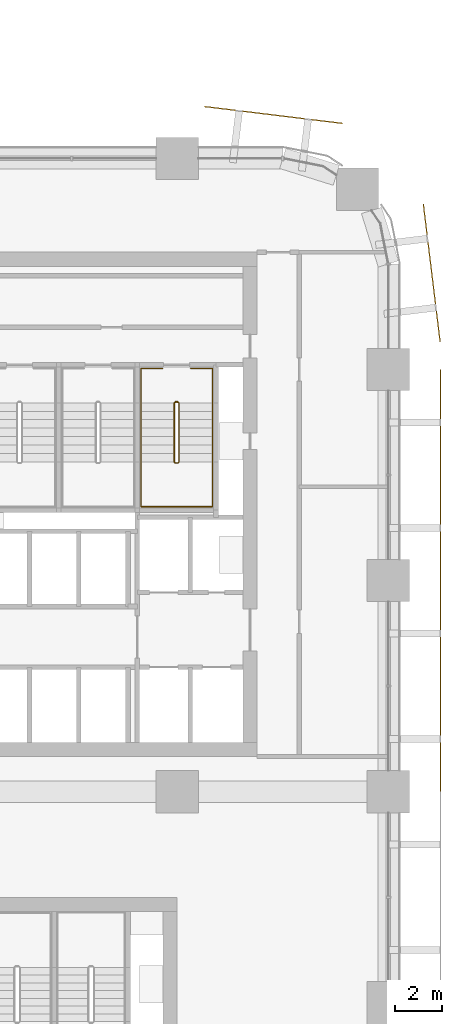
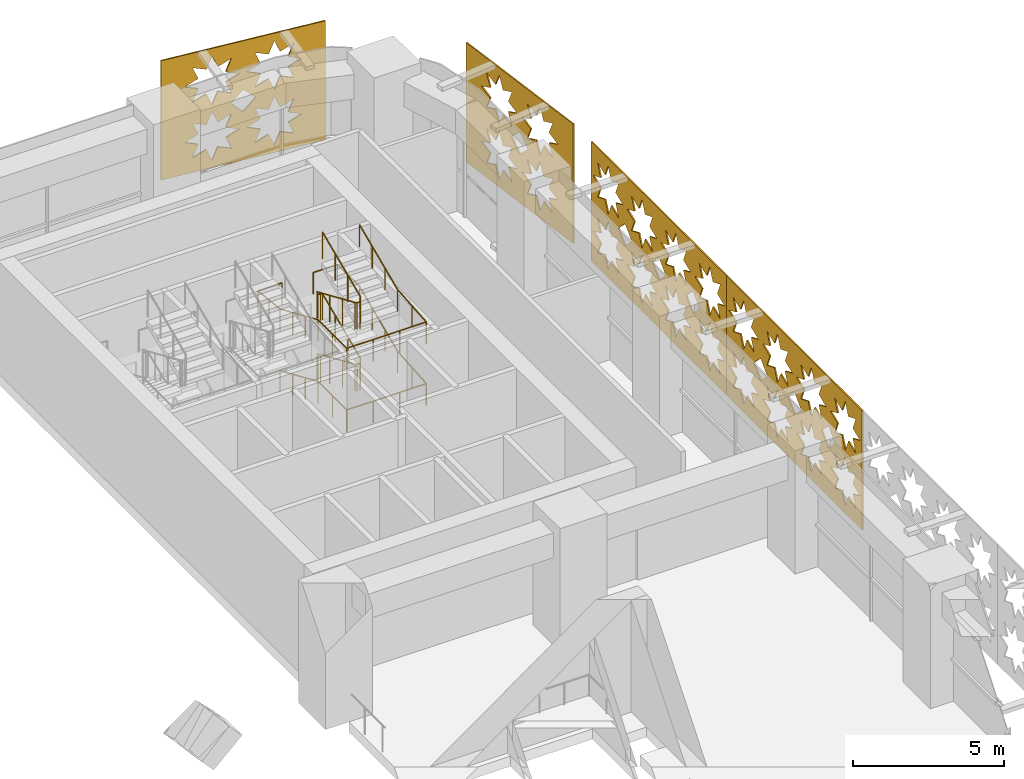
# One storey, part 40 of 40: 4 coverings, 3 railings.
"""IFC4 building model written with IfcOpenShell, lengths in metres."""

from ifc_helpers import new_model, si_unit, direction, frame, origin, origin_2d, place, context, subcontext, project, spatial, polyline, circle, outline, extrude, material, layer, layer_set, type_object, element, save


model = new_model("IFC4")

# Units and contexts
model_context = context("Model", 3, precision=1e-05, world=origin(), true_north=direction((0.0, 1.0)))
body_context = subcontext(model_context, "Body", "Model", "MODEL_VIEW")
ifc_project = project(units=[si_unit("LENGTHUNIT", "METRE"), si_unit("AREAUNIT", "SQUARE_METRE"), si_unit("VOLUMEUNIT", "CUBIC_METRE"), si_unit("PLANEANGLEUNIT", "RADIAN"), si_unit("MASSUNIT", "GRAM", prefix="KILO")], contexts=[model_context])

# Site, building, storey
site_placement = place(None, origin())
site = spatial("IfcSite", under=ifc_project, at=site_placement, CompositionType="ELEMENT")
building_placement = place(site_placement, origin())
building = spatial("IfcBuilding", under=site, at=building_placement, Name="Tessera Arch", CompositionType="ELEMENT")
storey_placement = place(building_placement, frame((0.0, 0.0, 21.0)))
storey = spatial("IfcBuildingStorey", under=building, at=storey_placement, Name="L03", CompositionType="ELEMENT", Elevation=21.0)

# Coverings
ifc_material_1 = material(Name="Anodised aluminium pale metal", Category="aluminium")
ifc_layer = layer(ifc_material_1, 0.050048828125)
ifc_layer_set = layer_set([ifc_layer], Name="Base lattice panel pale metal")
covering_type = type_object("IfcCoveringType", Name="Base lattice panel pale metal", PredefinedType="CLADDING", material=ifc_layer_set)
covering_1_placement = place(storey_placement, frame((56.199951171875, 27.0, 5.0), z_axis=(-1.0, 0.0, 0.0), x_axis=(0.0, 1.0, 0.0)))
element("IfcCovering", 1, at=covering_1_placement, inside=storey, type_object=covering_type, Name="Base lattice panel E54.0/2 L03", PredefinedType="CLADDING", context=body_context, shape_type="SweptSolid", body=[
    extrude(outline(polyline([(0.0, 0.0), (9.0, 0.0), (9.0, 4.840087890625), (0.0, 4.840087890625), (0.0, 0.0)]), holes=[polyline([(2.114990234375, 3.544921875), (1.6240234375, 3.337890625), (1.824951171875, 2.844970703125), (1.33203125, 3.0458984375), (1.125, 2.554931640625), (0.91796875, 3.0458984375), (0.425048828125, 2.844970703125), (0.6259765625, 3.337890625), (0.135009765625, 3.544921875), (0.6259765625, 3.751953125), (0.425048828125, 4.2451171875), (0.91796875, 4.0439453125), (1.125, 4.534912109375), (1.33203125, 4.0439453125), (1.824951171875, 4.2451171875), (1.6240234375, 3.751953125), (2.114990234375, 3.544921875)]), polyline([(2.114990234375, 1.294921875), (1.6240234375, 1.087890625), (1.824951171875, 0.594970703125), (1.33203125, 0.7958984375), (1.125, 0.304931640625), (0.91796875, 0.7958984375), (0.425048828125, 0.594970703125), (0.6259765625, 1.087890625), (0.135009765625, 1.294921875), (0.6259765625, 1.501953125), (0.425048828125, 1.9951171875), (0.91796875, 1.7939453125), (1.125, 2.284912109375), (1.33203125, 1.7939453125), (1.824951171875, 1.9951171875), (1.6240234375, 1.501953125), (2.114990234375, 1.294921875)]), polyline([(4.364990234375, 3.544921875), (3.8740234375, 3.337890625), (4.074951171875, 2.844970703125), (3.58203125, 3.0458984375), (3.375, 2.554931640625), (3.16796875, 3.0458984375), (2.675048828125, 2.844970703125), (2.8759765625, 3.337890625), (2.385009765625, 3.544921875), (2.8759765625, 3.751953125), (2.675048828125, 4.2451171875), (3.16796875, 4.0439453125), (3.375, 4.534912109375), (3.58203125, 4.0439453125), (4.074951171875, 4.2451171875), (3.8740234375, 3.751953125), (4.364990234375, 3.544921875)]), polyline([(4.364990234375, 1.294921875), (3.8740234375, 1.087890625), (4.074951171875, 0.594970703125), (3.58203125, 0.7958984375), (3.375, 0.304931640625), (3.16796875, 0.7958984375), (2.675048828125, 0.594970703125), (2.8759765625, 1.087890625), (2.385009765625, 1.294921875), (2.8759765625, 1.501953125), (2.675048828125, 1.9951171875), (3.16796875, 1.7939453125), (3.375, 2.284912109375), (3.58203125, 1.7939453125), (4.074951171875, 1.9951171875), (3.8740234375, 1.501953125), (4.364990234375, 1.294921875)]), polyline([(6.614990234375, 3.544921875), (6.1240234375, 3.337890625), (6.324951171875, 2.844970703125), (5.83203125, 3.0458984375), (5.625, 2.554931640625), (5.41796875, 3.0458984375), (4.925048828125, 2.844970703125), (5.1259765625, 3.337890625), (4.635009765625, 3.544921875), (5.1259765625, 3.751953125), (4.925048828125, 4.2451171875), (5.41796875, 4.0439453125), (5.625, 4.534912109375), (5.83203125, 4.0439453125), (6.324951171875, 4.2451171875), (6.1240234375, 3.751953125), (6.614990234375, 3.544921875)]), polyline([(6.614990234375, 1.294921875), (6.1240234375, 1.087890625), (6.324951171875, 0.594970703125), (5.83203125, 0.7958984375), (5.625, 0.304931640625), (5.41796875, 0.7958984375), (4.925048828125, 0.594970703125), (5.1259765625, 1.087890625), (4.635009765625, 1.294921875), (5.1259765625, 1.501953125), (4.925048828125, 1.9951171875), (5.41796875, 1.7939453125), (5.625, 2.284912109375), (5.83203125, 1.7939453125), (6.324951171875, 1.9951171875), (6.1240234375, 1.501953125), (6.614990234375, 1.294921875)]), polyline([(8.864990234375, 3.544921875), (8.3740234375, 3.337890625), (8.574951171875, 2.844970703125), (8.08203125, 3.0458984375), (7.875, 2.554931640625), (7.66796875, 3.0458984375), (7.175048828125, 2.844970703125), (7.3759765625, 3.337890625), (6.885009765625, 3.544921875), (7.3759765625, 3.751953125), (7.175048828125, 4.2451171875), (7.66796875, 4.0439453125), (7.875, 4.534912109375), (8.08203125, 4.0439453125), (8.574951171875, 4.2451171875), (8.3740234375, 3.751953125), (8.864990234375, 3.544921875)]), polyline([(8.864990234375, 1.294921875), (8.3740234375, 1.087890625), (8.574951171875, 0.594970703125), (8.08203125, 0.7958984375), (7.875, 0.304931640625), (7.66796875, 0.7958984375), (7.175048828125, 0.594970703125), (7.3759765625, 1.087890625), (6.885009765625, 1.294921875), (7.3759765625, 1.501953125), (7.175048828125, 1.9951171875), (7.66796875, 1.7939453125), (7.875, 2.284912109375), (8.08203125, 1.7939453125), (8.574951171875, 1.9951171875), (8.3740234375, 1.501953125), (8.864990234375, 1.294921875)]), polyline([(2.699951171875, 2.419921875), (2.25, 1.969970703125), (1.800048828125, 2.419921875), (2.25, 2.8701171875), (2.699951171875, 2.419921875)]), polyline([(4.949951171875, 2.419921875), (4.5, 1.969970703125), (4.050048828125, 2.419921875), (4.5, 2.8701171875), (4.949951171875, 2.419921875)]), polyline([(7.199951171875, 2.419921875), (6.75, 1.969970703125), (6.300048828125, 2.419921875), (6.75, 2.8701171875), (7.199951171875, 2.419921875)])]), origin(), (0.0, 0.0, -1.0), 0.050048828125),
])
covering_2_placement = place(storey_placement, frame((56.199951171875, 36.0, 5.0), z_axis=(-1.0, 0.0, 0.0), x_axis=(0.0, 1.0, 0.0)))
element("IfcCovering", 2, at=covering_2_placement, inside=storey, type_object=covering_type, Name="Base lattice panel E54.0/3 L03", PredefinedType="CLADDING", context=body_context, shape_type="SweptSolid", body=[
    extrude(outline(polyline([(0.0, 0.0), (9.0, 0.0), (9.0, 4.840087890625), (0.0, 4.840087890625), (0.0, 0.0)]), holes=[polyline([(2.114990234375, 3.544921875), (1.6240234375, 3.337890625), (1.824951171875, 2.844970703125), (1.33203125, 3.0458984375), (1.125, 2.554931640625), (0.91796875, 3.0458984375), (0.425048828125, 2.844970703125), (0.6259765625, 3.337890625), (0.135009765625, 3.544921875), (0.6259765625, 3.751953125), (0.425048828125, 4.2451171875), (0.91796875, 4.0439453125), (1.125, 4.534912109375), (1.33203125, 4.0439453125), (1.824951171875, 4.2451171875), (1.6240234375, 3.751953125), (2.114990234375, 3.544921875)]), polyline([(2.114990234375, 1.294921875), (1.6240234375, 1.087890625), (1.824951171875, 0.594970703125), (1.33203125, 0.7958984375), (1.125, 0.304931640625), (0.91796875, 0.7958984375), (0.425048828125, 0.594970703125), (0.6259765625, 1.087890625), (0.135009765625, 1.294921875), (0.6259765625, 1.501953125), (0.425048828125, 1.9951171875), (0.91796875, 1.7939453125), (1.125, 2.284912109375), (1.33203125, 1.7939453125), (1.824951171875, 1.9951171875), (1.6240234375, 1.501953125), (2.114990234375, 1.294921875)]), polyline([(4.364990234375, 3.544921875), (3.8740234375, 3.337890625), (4.074951171875, 2.844970703125), (3.58203125, 3.0458984375), (3.375, 2.554931640625), (3.16796875, 3.0458984375), (2.675048828125, 2.844970703125), (2.8759765625, 3.337890625), (2.385009765625, 3.544921875), (2.8759765625, 3.751953125), (2.675048828125, 4.2451171875), (3.16796875, 4.0439453125), (3.375, 4.534912109375), (3.58203125, 4.0439453125), (4.074951171875, 4.2451171875), (3.8740234375, 3.751953125), (4.364990234375, 3.544921875)]), polyline([(4.364990234375, 1.294921875), (3.8740234375, 1.087890625), (4.074951171875, 0.594970703125), (3.58203125, 0.7958984375), (3.375, 0.304931640625), (3.16796875, 0.7958984375), (2.675048828125, 0.594970703125), (2.8759765625, 1.087890625), (2.385009765625, 1.294921875), (2.8759765625, 1.501953125), (2.675048828125, 1.9951171875), (3.16796875, 1.7939453125), (3.375, 2.284912109375), (3.58203125, 1.7939453125), (4.074951171875, 1.9951171875), (3.8740234375, 1.501953125), (4.364990234375, 1.294921875)]), polyline([(6.614990234375, 3.544921875), (6.1240234375, 3.337890625), (6.324951171875, 2.844970703125), (5.83203125, 3.0458984375), (5.625, 2.554931640625), (5.41796875, 3.0458984375), (4.925048828125, 2.844970703125), (5.1259765625, 3.337890625), (4.635009765625, 3.544921875), (5.1259765625, 3.751953125), (4.925048828125, 4.2451171875), (5.41796875, 4.0439453125), (5.625, 4.534912109375), (5.83203125, 4.0439453125), (6.324951171875, 4.2451171875), (6.1240234375, 3.751953125), (6.614990234375, 3.544921875)]), polyline([(6.614990234375, 1.294921875), (6.1240234375, 1.087890625), (6.324951171875, 0.594970703125), (5.83203125, 0.7958984375), (5.625, 0.304931640625), (5.41796875, 0.7958984375), (4.925048828125, 0.594970703125), (5.1259765625, 1.087890625), (4.635009765625, 1.294921875), (5.1259765625, 1.501953125), (4.925048828125, 1.9951171875), (5.41796875, 1.7939453125), (5.625, 2.284912109375), (5.83203125, 1.7939453125), (6.324951171875, 1.9951171875), (6.1240234375, 1.501953125), (6.614990234375, 1.294921875)]), polyline([(8.864990234375, 3.544921875), (8.3740234375, 3.337890625), (8.574951171875, 2.844970703125), (8.08203125, 3.0458984375), (7.875, 2.554931640625), (7.66796875, 3.0458984375), (7.175048828125, 2.844970703125), (7.3759765625, 3.337890625), (6.885009765625, 3.544921875), (7.3759765625, 3.751953125), (7.175048828125, 4.2451171875), (7.66796875, 4.0439453125), (7.875, 4.534912109375), (8.08203125, 4.0439453125), (8.574951171875, 4.2451171875), (8.3740234375, 3.751953125), (8.864990234375, 3.544921875)]), polyline([(8.864990234375, 1.294921875), (8.3740234375, 1.087890625), (8.574951171875, 0.594970703125), (8.08203125, 0.7958984375), (7.875, 0.304931640625), (7.66796875, 0.7958984375), (7.175048828125, 0.594970703125), (7.3759765625, 1.087890625), (6.885009765625, 1.294921875), (7.3759765625, 1.501953125), (7.175048828125, 1.9951171875), (7.66796875, 1.7939453125), (7.875, 2.284912109375), (8.08203125, 1.7939453125), (8.574951171875, 1.9951171875), (8.3740234375, 1.501953125), (8.864990234375, 1.294921875)]), polyline([(2.699951171875, 2.419921875), (2.25, 1.969970703125), (1.800048828125, 2.419921875), (2.25, 2.8701171875), (2.699951171875, 2.419921875)]), polyline([(4.949951171875, 2.419921875), (4.5, 1.969970703125), (4.050048828125, 2.419921875), (4.5, 2.8701171875), (4.949951171875, 2.419921875)]), polyline([(7.199951171875, 2.419921875), (6.75, 1.969970703125), (6.300048828125, 2.419921875), (6.75, 2.8701171875), (7.199951171875, 2.419921875)])]), origin(), (0.0, 0.0, -1.0), 0.050048828125),
])
covering_3_placement = place(storey_placement, frame((56.183837890625, 46.166015625, 5.0), z_axis=(-0.992656620686, -0.120966249049, 0.0), x_axis=(-0.120966249049, 0.992656620686, 0.0)))
element("IfcCovering", 3, at=covering_3_placement, inside=storey, type_object=covering_type, Name="Base lattice panel E54.0/4 L03", PredefinedType="CLADDING", context=body_context, shape_type="SweptSolid", body=[
    extrude(outline(polyline([(0.0, 0.0), (5.925593962252626, 0.0), (5.925593962252626, 4.840087890625), (0.0, 4.840087890625), (0.0, 0.0)]), holes=[polyline([(2.828132860395926, 3.544921875), (2.336987823767969, 3.337890625), (2.53815207532478, 2.844970703125), (2.0440693322277617, 3.0458984375), (1.8379695261883193, 2.554931640625), (1.6311131439498763, 3.0458984375), (1.1379997920839962, 2.844970703125), (1.3391640436408068, 3.337890625), (0.84801900701285, 3.544921875), (1.3391640436408068, 3.751953125), (1.1379997920839962, 4.2451171875), (1.6311131439498763, 4.0439453125), (1.8379695261883193, 4.534912109375), (2.0440693322277617, 4.0439453125), (2.53815207532478, 4.2451171875), (2.336987823767969, 3.751953125), (2.828132860395926, 3.544921875)]), polyline([(2.828132860395926, 1.294921875), (2.336987823767969, 1.087890625), (2.53815207532478, 0.594970703125), (2.0440693322277617, 0.7958984375), (1.8379695261883193, 0.304931640625), (1.6311131439498763, 0.7958984375), (1.1379997920839962, 0.594970703125), (1.3391640436408068, 1.087890625), (0.84801900701285, 1.294921875), (1.3391640436408068, 1.501953125), (1.1379997920839962, 1.9951171875), (1.6311131439498763, 1.7939453125), (1.8379695261883193, 2.284912109375), (2.0440693322277617, 1.7939453125), (2.53815207532478, 1.9951171875), (2.336987823767969, 1.501953125), (2.828132860395926, 1.294921875)]), polyline([(5.078059650855345, 3.544921875), (4.5871569620351735, 3.337890625), (4.7880788657841995, 2.844970703125), (4.294208937719319, 3.0458984375), (4.088109131679876, 2.554931640625), (3.8810399344092956, 3.0458984375), (3.3881393975755536, 2.844970703125), (3.5890908341002263, 3.337890625), (3.0979457974722693, 3.544921875), (3.5890908341002263, 3.751953125), (3.3881393975755536, 4.2451171875), (3.8810399344092956, 4.0439453125), (4.088109131679876, 4.534912109375), (4.294208937719319, 4.0439453125), (4.7880788657841995, 4.2451171875), (4.5871569620351735, 3.751953125), (5.078059650855345, 3.544921875)]), polyline([(5.078059650855345, 1.294921875), (4.5871569620351735, 1.087890625), (4.7880788657841995, 0.594970703125), (4.294208937719319, 0.7958984375), (4.088109131679876, 0.304931640625), (3.8810399344092956, 0.7958984375), (3.3881393975755536, 0.594970703125), (3.5890908341002263, 1.087890625), (3.0979457974722693, 1.294921875), (3.5890908341002263, 1.501953125), (3.3881393975755536, 1.9951171875), (3.8810399344092956, 1.7939453125), (4.088109131679876, 2.284912109375), (4.294208937719319, 1.7939453125), (4.7880788657841995, 1.9951171875), (4.5871569620351735, 1.501953125), (5.078059650855345, 1.294921875)]), polyline([(3.4130004522452033, 2.419921875), (2.96316050283799, 1.969970703125), (2.5130782056229926, 2.419921875), (2.96316050283799, 2.8701171875), (3.4130004522452033, 2.419921875)])]), origin(), (0.0, 0.0, -1.0), 0.050048828125),
])
covering_4_placement = place(storey_placement, frame((52.048095703125, 55.467041015625, 5.0), z_axis=(-0.120966249049, -0.992656620686, 0.0), x_axis=(-0.992656620686, 0.120966249049, 0.0)))
element("IfcCovering", 4, at=covering_4_placement, inside=storey, type_object=covering_type, Name="Base lattice panel N54.36/0 L03", PredefinedType="CLADDING", context=body_context, shape_type="SweptSolid", body=[
    extrude(outline(polyline([(0.0, 0.0), (5.925593962252626, 0.0), (5.925593962252626, 4.840087890625), (0.0, 4.840087890625), (0.0, 0.0)]), holes=[polyline([(2.8278905125881417, 3.544921875), (2.336987823767969, 3.337890625), (2.5379392602926423, 2.844970703125), (2.0440693322277617, 3.0458984375), (1.8379695261883193, 2.554931640625), (1.6308707961420916, 3.0458984375), (1.1379997920839962, 2.844970703125), (1.3389512286086689, 3.337890625), (0.84801900701285, 3.544921875), (1.3389512286086689, 3.751953125), (1.1379997920839962, 4.2451171875), (1.6308707961420916, 4.0439453125), (1.8379695261883193, 4.534912109375), (2.0440693322277617, 4.0439453125), (2.5379392602926423, 4.2451171875), (2.336987823767969, 3.751953125), (2.8278905125881417, 3.544921875)]), polyline([(2.8278905125881417, 1.294921875), (2.336987823767969, 1.087890625), (2.5379392602926423, 0.594970703125), (2.0440693322277617, 0.7958984375), (1.8379695261883193, 0.304931640625), (1.6308707961420916, 0.7958984375), (1.1379997920839962, 0.594970703125), (1.3389512286086689, 1.087890625), (0.84801900701285, 1.294921875), (1.3389512286086689, 1.501953125), (1.1379997920839962, 1.9951171875), (1.6308707961420916, 1.7939453125), (1.8379695261883193, 2.284912109375), (2.0440693322277617, 1.7939453125), (2.5379392602926423, 1.9951171875), (2.336987823767969, 1.501953125), (2.8278905125881417, 1.294921875)]), polyline([(5.078059650855345, 3.544921875), (4.586914614227389, 3.337890625), (4.788108398559846, 2.844970703125), (4.293996122687181, 3.0458984375), (4.088138664455523, 2.554931640625), (3.8810399344092956, 3.0458984375), (3.3879265825434155, 2.844970703125), (3.5890908341002263, 3.337890625), (3.0979457974722693, 3.544921875), (3.5890908341002263, 3.751953125), (3.3879265825434155, 4.2451171875), (3.8810399344092956, 4.0439453125), (4.088138664455523, 4.534912109375), (4.293996122687181, 4.0439453125), (4.788108398559846, 4.2451171875), (4.586914614227389, 3.751953125), (5.078059650855345, 3.544921875)]), polyline([(5.078059650855345, 1.294921875), (4.586914614227389, 1.087890625), (4.788108398559846, 0.594970703125), (4.293996122687181, 0.7958984375), (4.088138664455523, 0.304931640625), (3.8810399344092956, 0.7958984375), (3.3879265825434155, 0.594970703125), (3.5890908341002263, 1.087890625), (3.0979457974722693, 1.294921875), (3.5890908341002263, 1.501953125), (3.3879265825434155, 1.9951171875), (3.8810399344092956, 1.7939453125), (4.088138664455523, 2.284912109375), (4.293996122687181, 1.7939453125), (4.788108398559846, 1.9951171875), (4.586914614227389, 1.501953125), (5.078059650855345, 1.294921875)]), polyline([(3.4130004522452033, 2.419921875), (2.96316050283799, 1.969970703125), (2.5130782056229926, 2.419921875), (2.96316050283799, 2.8701171875), (3.4130004522452033, 2.419921875)])]), origin(), (0.0, 0.0, -1.0), 0.050048828125),
])

# Railings
ifc_material_2 = material(Name="Painted steel balustrade", Category="steel")
railing_type_1 = type_object("IfcRailingType", Name="Stair guard 1100", PredefinedType="GUARDRAIL", material=ifc_material_2)
railing_1_placement = place(storey_placement, frame((44.919921875, 43.6298828125, 0.0)))
element("IfcRailing", 5, at=railing_1_placement, inside=storey, type_object=railing_type_1, Name="L03 S1c stair guard 1", PredefinedType="GUARDRAIL", context=body_context, shape_type="SweptSolid", body=[
    extrude(circle(Radius=0.02392578125, at=origin_2d()), frame((-0.00390625, 0.0, 1.076171875), z_axis=(1.0, 0.0, 0.0), x_axis=(0.0, 1.0, 0.0)), (0.0, 0.0, 1.0), 0.1181640625),
    extrude(circle(Radius=0.02392578125, at=origin_2d()), frame((0.11279296875, 0.0009765625, 1.0732421875), z_axis=(-0.698136755474, -0.217434958957, 0.682148890844), x_axis=(0.297361876254, -0.954764847777, 0.0)), (0.0, 0.0, 1.0), 0.237060546875),
    extrude(circle(Radius=0.02392578125, at=origin_2d()), frame((-0.0498046875, -0.046142578125, 1.230712890625), z_axis=(0.0, -0.917324189904, 0.398141093855), x_axis=(1.0, 0.0, 0.0)), (0.0, 0.0, 1.0), 2.755126953125),
    extrude(circle(Radius=0.02392578125, at=origin_2d()), frame((-0.052734375, -2.56689453125, 2.326171875), z_axis=(0.705375805398, -0.708833529934, 0.0), x_axis=(0.708833529934, 0.705375805398, 0.0)), (0.0, 0.0, 1.0), 0.07861328125),
    extrude(circle(Radius=0.02392578125, at=origin_2d()), frame((-0.00390625, -2.619873046875, 2.326171875), z_axis=(1.0, 0.0, 0.0), x_axis=(0.0, 1.0, 0.0)), (0.0, 0.0, 1.0), 0.1181640625),
    extrude(circle(Radius=0.02392578125, at=origin_2d()), frame((0.10888671875, -2.62109375, 2.322509765625), z_axis=(0.29177245553, 0.29177245553, 0.91089937336), x_axis=(-0.707106781187, 0.707106781187, 0.0)), (0.0, 0.0, 1.0), 0.179443359375),
    extrude(circle(Radius=0.02392578125, at=origin_2d()), frame((0.16015625, -2.573486328125, 2.480712890625), z_axis=(0.0, 0.917324189904, 0.398141093855), x_axis=(-1.0, 0.0, 0.0)), (0.0, 0.0, 1.0), 2.755126953125),
    extrude(circle(Radius=0.02392578125, at=origin_2d()), frame((0.1640625, -0.051025390625, 3.576171875), z_axis=(-0.954893471113, 0.296948579431, 0.0), x_axis=(-0.296948579431, -0.954893471113, 0.0)), (0.0, 0.0, 1.0), 0.17578125),
    extrude(circle(Radius=0.02392578125, at=origin_2d()), frame((-0.00390625, 0.0, 3.576171875), z_axis=(1.0, 0.0, 0.0), x_axis=(0.0, 1.0, 0.0)), (0.0, 0.0, 1.0), 0.1181640625),
    extrude(circle(Radius=0.02392578125, at=origin_2d()), frame((0.11279296875, 0.0009765625, 3.5732421875), z_axis=(-0.698136755474, -0.217434958957, 0.682148890844), x_axis=(0.297361876254, -0.954764847777, 0.0)), (0.0, 0.0, 1.0), 0.237060546875),
    extrude(circle(Radius=0.02392578125, at=origin_2d()), frame((-0.0498046875, -0.046142578125, 3.730712890625), z_axis=(0.0, -0.917324189904, 0.398141093855), x_axis=(1.0, 0.0, 0.0)), (0.0, 0.0, 1.0), 2.755126953125),
    extrude(circle(Radius=0.02392578125, at=origin_2d()), frame((-0.052734375, -2.56689453125, 4.826171875), z_axis=(0.705375805398, -0.708833529934, 0.0), x_axis=(0.708833529934, 0.705375805398, 0.0)), (0.0, 0.0, 1.0), 0.07861328125),
    extrude(circle(Radius=0.02392578125, at=origin_2d()), frame((-0.00390625, -2.619873046875, 4.826171875), z_axis=(1.0, 0.0, 0.0), x_axis=(0.0, 1.0, 0.0)), (0.0, 0.0, 1.0), 0.1181640625),
    extrude(circle(Radius=0.02392578125, at=origin_2d()), frame((0.10888671875, -2.62109375, 4.822509765625), z_axis=(0.29177245553, 0.29177245553, 0.91089937336), x_axis=(-0.707106781187, 0.707106781187, 0.0)), (0.0, 0.0, 1.0), 0.179443359375),
    extrude(circle(Radius=0.02392578125, at=origin_2d()), frame((0.16015625, -2.573486328125, 4.980712890625), z_axis=(0.0, 0.917324189904, 0.398141093855), x_axis=(-1.0, 0.0, 0.0)), (0.0, 0.0, 1.0), 2.755126953125),
    extrude(circle(Radius=0.02099609375, at=origin_2d()), origin(), (0.0, 0.0, 1.0), 1.06396484375),
    extrude(circle(Radius=0.02099609375, at=origin_2d()), frame((0.110107421875, 0.0, 0.0)), (0.0, 0.0, 1.0), 1.06396484375),
    extrude(circle(Radius=0.02099609375, at=origin_2d()), frame((-0.0498046875, -0.0498046875, 0.15625)), (0.0, 0.0, 1.0), 1.06396484375),
    extrude(circle(Radius=0.02099609375, at=origin_2d()), frame((-0.0498046875, -0.889892578125, 0.520751953125)), (0.0, 0.0, 1.0), 1.06396484375),
    extrude(circle(Radius=0.02099609375, at=origin_2d()), frame((-0.0498046875, -1.729736328125, 0.885498046875)), (0.0, 0.0, 1.0), 1.06396484375),
    extrude(circle(Radius=0.02099609375, at=origin_2d()), frame((-0.0498046875, -2.56982421875, 1.25)), (0.0, 0.0, 1.0), 1.06396484375),
    extrude(circle(Radius=0.02099609375, at=origin_2d()), frame((0.0, -2.619873046875, 1.25)), (0.0, 0.0, 1.0), 1.06396484375),
    extrude(circle(Radius=0.02099609375, at=origin_2d()), frame((0.110107421875, -2.619873046875, 1.25)), (0.0, 0.0, 1.0), 1.06396484375),
    extrude(circle(Radius=0.02099609375, at=origin_2d()), frame((0.16015625, -2.56982421875, 1.40625)), (0.0, 0.0, 1.0), 1.06396484375),
    extrude(circle(Radius=0.02099609375, at=origin_2d()), frame((0.16015625, -1.729736328125, 1.770751953125)), (0.0, 0.0, 1.0), 1.06396484375),
    extrude(circle(Radius=0.02099609375, at=origin_2d()), frame((0.16015625, -0.889892578125, 2.135498046875)), (0.0, 0.0, 1.0), 1.06396484375),
    extrude(circle(Radius=0.02099609375, at=origin_2d()), frame((0.16015625, -0.0498046875, 2.5)), (0.0, 0.0, 1.0), 1.06396484375),
    extrude(circle(Radius=0.02099609375, at=origin_2d()), frame((0.0, 0.0, 2.5)), (0.0, 0.0, 1.0), 1.06396484375),
    extrude(circle(Radius=0.02099609375, at=origin_2d()), frame((0.110107421875, 0.0, 2.5)), (0.0, 0.0, 1.0), 1.06396484375),
    extrude(circle(Radius=0.02099609375, at=origin_2d()), frame((-0.0498046875, -0.0498046875, 2.65625)), (0.0, 0.0, 1.0), 1.06396484375),
    extrude(circle(Radius=0.02099609375, at=origin_2d()), frame((-0.0498046875, -0.889892578125, 3.020751953125)), (0.0, 0.0, 1.0), 1.06396484375),
    extrude(circle(Radius=0.02099609375, at=origin_2d()), frame((-0.0498046875, -1.729736328125, 3.385498046875)), (0.0, 0.0, 1.0), 1.06396484375),
    extrude(circle(Radius=0.02099609375, at=origin_2d()), frame((-0.0498046875, -2.56982421875, 3.75)), (0.0, 0.0, 1.0), 1.06396484375),
    extrude(circle(Radius=0.02099609375, at=origin_2d()), frame((0.0, -2.619873046875, 3.75)), (0.0, 0.0, 1.0), 1.06396484375),
    extrude(circle(Radius=0.02099609375, at=origin_2d()), frame((0.110107421875, -2.619873046875, 3.75)), (0.0, 0.0, 1.0), 1.06396484375),
    extrude(circle(Radius=0.02099609375, at=origin_2d()), frame((0.16015625, -2.56982421875, 3.90625)), (0.0, 0.0, 1.0), 1.06396484375),
    extrude(circle(Radius=0.02099609375, at=origin_2d()), frame((0.16015625, -1.729736328125, 4.270751953125)), (0.0, 0.0, 1.0), 1.06396484375),
    extrude(circle(Radius=0.02099609375, at=origin_2d()), frame((0.16015625, -0.889892578125, 4.635498046875)), (0.0, 0.0, 1.0), 1.06396484375),
    extrude(circle(Radius=0.02099609375, at=origin_2d()), frame((0.16015625, -0.0498046875, 5.0)), (0.0, 0.0, 1.0), 1.06396484375),
])
ifc_material_3 = material(Name="Painted steel handrail", Category="steel")
railing_type_2 = type_object("IfcRailingType", Name="Stair handrail 900", PredefinedType="HANDRAIL", material=ifc_material_3)
railing_2_placement = place(storey_placement, frame((43.449951171875, 43.580078125, 0.15625)))
element("IfcRailing", 6, at=railing_2_placement, inside=storey, type_object=railing_type_2, Name="L03 S1c stair handrail", PredefinedType="HANDRAIL", context=body_context, shape_type="SweptSolid", body=[
    extrude(circle(Radius=0.02392578125, at=origin_2d()), frame((0.0, 0.003662109375, 0.874267578125), z_axis=(0.0, -0.917324189904, 0.398141093855), x_axis=(1.0, 0.0, 0.0)), (0.0, 0.0, 1.0), 2.755126953125),
    extrude(circle(Radius=0.02392578125, at=origin_2d()), frame((0.0, -2.51611328125, 1.9697265625), z_axis=(0.0, -1.0, 0.0), x_axis=(1.0, 0.0, 0.0)), (0.0, 0.0, 1.0), 1.918212890625),
    extrude(circle(Radius=0.02392578125, at=origin_2d()), frame((-0.00390625, -4.43017578125, 1.9697265625), z_axis=(1.0, 0.0, 0.0), x_axis=(0.0, 1.0, 0.0)), (0.0, 0.0, 1.0), 3.05810546875),
    extrude(circle(Radius=0.02392578125, at=origin_2d()), frame((3.050048828125, -4.43408203125, 1.96923828125), z_axis=(0.0, 0.996671109807, 0.081527289146), x_axis=(-1.0, 0.0, 0.0)), (0.0, 0.0, 1.0), 1.924560546875),
    extrude(circle(Radius=0.02392578125, at=origin_2d()), frame((3.050048828125, -2.523681640625, 2.124267578125), z_axis=(0.0, 0.917324189904, 0.398141093855), x_axis=(-1.0, 0.0, 0.0)), (0.0, 0.0, 1.0), 2.755126953125),
    extrude(circle(Radius=0.02392578125, at=origin_2d()), frame((3.050048828125, -0.00390625, 3.2197265625), z_axis=(0.0, 1.0, 0.0), x_axis=(-1.0, 0.0, 0.0)), (0.0, 0.0, 1.0), 1.47802734375),
    extrude(circle(Radius=0.02392578125, at=origin_2d()), frame((3.053955078125, 1.469970703125, 3.2197265625), z_axis=(-1.0, 0.0, 0.0), x_axis=(0.0, -1.0, 0.0)), (0.0, 0.0, 1.0), 0.93310546875),
    extrude(circle(Radius=0.02099609375, at=origin_2d()), origin(), (0.0, 0.0, 1.0), 0.86376953125),
    extrude(circle(Radius=0.02099609375, at=origin_2d()), frame((0.0, -0.840087890625, 0.364501953125)), (0.0, 0.0, 1.0), 0.86376953125),
    extrude(circle(Radius=0.02099609375, at=origin_2d()), frame((0.0, -1.679931640625, 0.729248046875)), (0.0, 0.0, 1.0), 0.86376953125),
    extrude(circle(Radius=0.02099609375, at=origin_2d()), frame((0.0, -2.52001953125, 1.09375)), (0.0, 0.0, 1.0), 0.86376953125),
    extrude(circle(Radius=0.02099609375, at=origin_2d()), frame((0.0, -3.47509765625, 1.09375)), (0.0, 0.0, 1.0), 0.86376953125),
    extrude(circle(Radius=0.02099609375, at=origin_2d()), frame((0.0, -4.43017578125, 1.09375)), (0.0, 0.0, 1.0), 0.86376953125),
    extrude(circle(Radius=0.02099609375, at=origin_2d()), frame((1.0166015625, -4.43017578125, 1.09375)), (0.0, 0.0, 1.0), 0.86376953125),
    extrude(circle(Radius=0.02099609375, at=origin_2d()), frame((2.033447265625, -4.43017578125, 1.09375)), (0.0, 0.0, 1.0), 0.86376953125),
    extrude(circle(Radius=0.02099609375, at=origin_2d()), frame((3.050048828125, -4.43017578125, 1.09375)), (0.0, 0.0, 1.0), 0.86376953125),
    extrude(circle(Radius=0.02099609375, at=origin_2d()), frame((3.050048828125, -3.47509765625, 1.171875)), (0.0, 0.0, 1.0), 0.86376953125),
    extrude(circle(Radius=0.02099609375, at=origin_2d()), frame((3.050048828125, -2.52001953125, 1.25)), (0.0, 0.0, 1.0), 0.86376953125),
    extrude(circle(Radius=0.02099609375, at=origin_2d()), frame((3.050048828125, -1.679931640625, 1.614501953125)), (0.0, 0.0, 1.0), 0.86376953125),
    extrude(circle(Radius=0.02099609375, at=origin_2d()), frame((3.050048828125, -0.840087890625, 1.979248046875)), (0.0, 0.0, 1.0), 0.86376953125),
    extrude(circle(Radius=0.02099609375, at=origin_2d()), frame((3.050048828125, 0.0, 2.34375)), (0.0, 0.0, 1.0), 0.86376953125),
    extrude(circle(Radius=0.02099609375, at=origin_2d()), frame((3.050048828125, 0.73486328125, 2.34375)), (0.0, 0.0, 1.0), 0.86376953125),
    extrude(circle(Radius=0.02099609375, at=origin_2d()), frame((3.050048828125, 1.469970703125, 2.34375)), (0.0, 0.0, 1.0), 0.86376953125),
    extrude(circle(Radius=0.02099609375, at=origin_2d()), frame((2.125, 1.469970703125, 2.34375)), (0.0, 0.0, 1.0), 0.86376953125),
])
railing_3_placement = place(storey_placement, frame((44.375, 45.050048828125, 2.5)))
element("IfcRailing", 7, at=railing_3_placement, inside=storey, type_object=railing_type_2, Name="L03 S1c stair handrail 2", PredefinedType="HANDRAIL", context=body_context, shape_type="SweptSolid", body=[
    extrude(circle(Radius=0.02392578125, at=origin_2d()), frame((0.00390625, 0.0, 0.8759765625), z_axis=(-1.0, 0.0, 0.0), x_axis=(0.0, -1.0, 0.0)), (0.0, 0.0, 1.0), 0.93310546875),
    extrude(circle(Radius=0.02392578125, at=origin_2d()), frame((-0.925048828125, 0.00390625, 0.87548828125), z_axis=(0.0, -0.994398150376, 0.105699188879), x_axis=(1.0, 0.0, 0.0)), (0.0, 0.0, 1.0), 1.486328125),
    extrude(circle(Radius=0.02392578125, at=origin_2d()), frame((-0.925048828125, -1.46630859375, 1.030517578125), z_axis=(0.0, -0.917324189904, 0.398141093855), x_axis=(1.0, 0.0, 0.0)), (0.0, 0.0, 1.0), 2.755126953125),
    extrude(circle(Radius=0.02392578125, at=origin_2d()), frame((-0.925048828125, -3.986083984375, 2.1259765625), z_axis=(0.0, -1.0, 0.0), x_axis=(1.0, 0.0, 0.0)), (0.0, 0.0, 1.0), 1.918212890625),
    extrude(circle(Radius=0.02392578125, at=origin_2d()), frame((-0.928955078125, -5.900146484375, 2.1259765625), z_axis=(1.0, 0.0, 0.0), x_axis=(0.0, 1.0, 0.0)), (0.0, 0.0, 1.0), 3.05810546875),
    extrude(circle(Radius=0.02392578125, at=origin_2d()), frame((2.125, -5.904052734375, 2.12548828125), z_axis=(0.0, 0.996671109807, 0.081527289146), x_axis=(-1.0, 0.0, 0.0)), (0.0, 0.0, 1.0), 1.924560546875),
    extrude(circle(Radius=0.02392578125, at=origin_2d()), frame((2.125, -3.99365234375, 2.280517578125), z_axis=(0.0, 0.917324189904, 0.398141093855), x_axis=(-1.0, 0.0, 0.0)), (0.0, 0.0, 1.0), 2.755126953125),
    extrude(circle(Radius=0.02099609375, at=origin_2d()), origin(), (0.0, 0.0, 1.0), 0.86376953125),
    extrude(circle(Radius=0.02099609375, at=origin_2d()), frame((-0.925048828125, 0.0, 0.0)), (0.0, 0.0, 1.0), 0.86376953125),
    extrude(circle(Radius=0.02099609375, at=origin_2d()), frame((-0.925048828125, -0.73486328125, 0.078125)), (0.0, 0.0, 1.0), 0.86376953125),
    extrude(circle(Radius=0.02099609375, at=origin_2d()), frame((-0.925048828125, -1.469970703125, 0.15625)), (0.0, 0.0, 1.0), 0.86376953125),
    extrude(circle(Radius=0.02099609375, at=origin_2d()), frame((-0.925048828125, -2.31005859375, 0.520751953125)), (0.0, 0.0, 1.0), 0.86376953125),
    extrude(circle(Radius=0.02099609375, at=origin_2d()), frame((-0.925048828125, -3.14990234375, 0.885498046875)), (0.0, 0.0, 1.0), 0.86376953125),
    extrude(circle(Radius=0.02099609375, at=origin_2d()), frame((-0.925048828125, -3.989990234375, 1.25)), (0.0, 0.0, 1.0), 0.86376953125),
    extrude(circle(Radius=0.02099609375, at=origin_2d()), frame((-0.925048828125, -4.945068359375, 1.25)), (0.0, 0.0, 1.0), 0.86376953125),
    extrude(circle(Radius=0.02099609375, at=origin_2d()), frame((-0.925048828125, -5.900146484375, 1.25)), (0.0, 0.0, 1.0), 0.86376953125),
    extrude(circle(Radius=0.02099609375, at=origin_2d()), frame((0.091552734375, -5.900146484375, 1.25)), (0.0, 0.0, 1.0), 0.86376953125),
    extrude(circle(Radius=0.02099609375, at=origin_2d()), frame((1.1083984375, -5.900146484375, 1.25)), (0.0, 0.0, 1.0), 0.86376953125),
    extrude(circle(Radius=0.02099609375, at=origin_2d()), frame((2.125, -5.900146484375, 1.25)), (0.0, 0.0, 1.0), 0.86376953125),
    extrude(circle(Radius=0.02099609375, at=origin_2d()), frame((2.125, -4.945068359375, 1.328125)), (0.0, 0.0, 1.0), 0.86376953125),
    extrude(circle(Radius=0.02099609375, at=origin_2d()), frame((2.125, -3.989990234375, 1.40625)), (0.0, 0.0, 1.0), 0.86376953125),
    extrude(circle(Radius=0.02099609375, at=origin_2d()), frame((2.125, -3.14990234375, 1.770751953125)), (0.0, 0.0, 1.0), 0.86376953125),
    extrude(circle(Radius=0.02099609375, at=origin_2d()), frame((2.125, -2.31005859375, 2.135498046875)), (0.0, 0.0, 1.0), 0.86376953125),
    extrude(circle(Radius=0.02099609375, at=origin_2d()), frame((2.125, -1.469970703125, 2.5)), (0.0, 0.0, 1.0), 0.86376953125),
])

save(model, "model.ifc")
